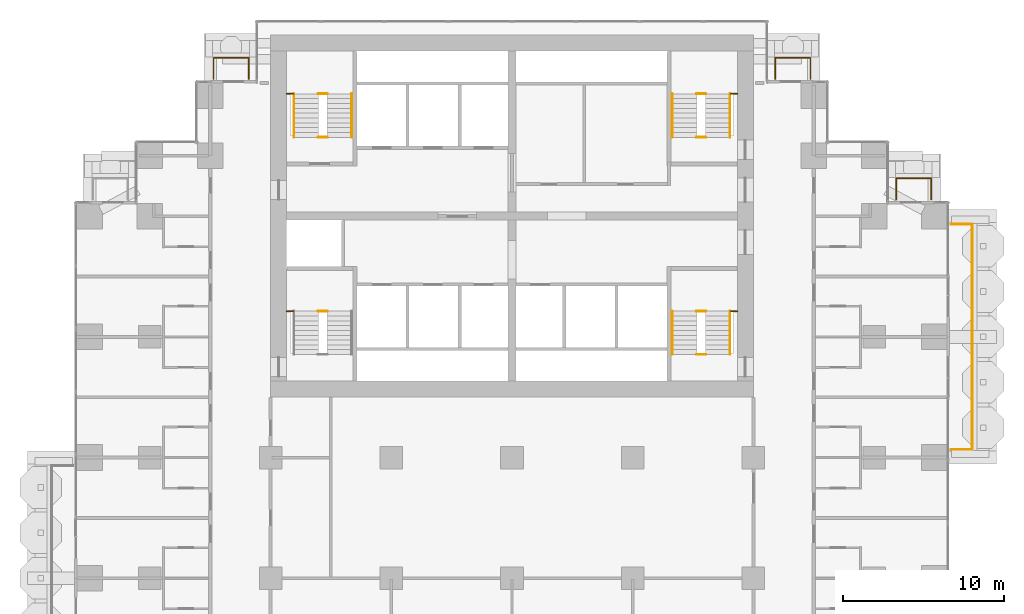
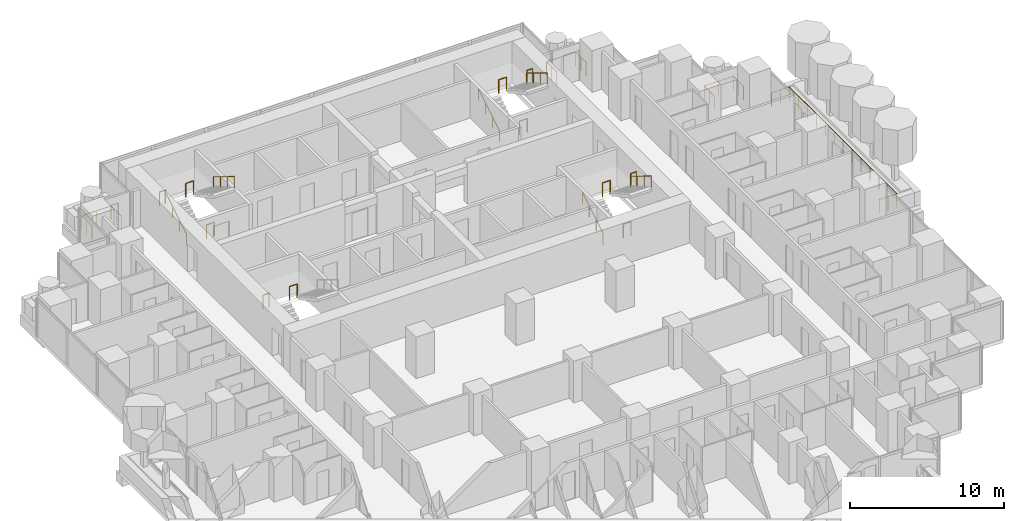
# One storey, part 18 of 19: 21 railings.
"""IFC4 building model written with IfcOpenShell, lengths in metres."""

from ifc_helpers import new_model, si_unit, direction, frame, origin, origin_2d, place, context, subcontext, project, spatial, circle, extrude, material, type_object, element, save


model = new_model("IFC4")

# Units and contexts
model_context = context("Model", 3, precision=1e-05, world=origin(), true_north=direction((0.0, 1.0)))
body_context = subcontext(model_context, "Body", "Model", "MODEL_VIEW")
ifc_project = project(units=[si_unit("LENGTHUNIT", "METRE"), si_unit("AREAUNIT", "SQUARE_METRE"), si_unit("VOLUMEUNIT", "CUBIC_METRE"), si_unit("PLANEANGLEUNIT", "RADIAN"), si_unit("MASSUNIT", "GRAM", prefix="KILO")], contexts=[model_context])

# Site, building, storey
site_placement = place(None, origin())
site = spatial("IfcSite", under=ifc_project, at=site_placement, CompositionType="ELEMENT")
building_placement = place(site_placement, origin())
building = spatial("IfcBuilding", under=site, at=building_placement, Name="Pilkhan Gate Tower", CompositionType="ELEMENT")
storey_placement = place(building_placement, frame((0.0, 0.0, 46.10009765625)))
storey = spatial("IfcBuildingStorey", under=building, at=storey_placement, Name="L08", CompositionType="ELEMENT", Elevation=46.10009765625)

# Railings
ifc_material_1 = material(Name="Pale anodised aluminium posts, laminated glass infill", Category="aluminium")
railing_type_1 = type_object("IfcRailingType", Name="Balcony guard G1", PredefinedType="BALUSTRADE", material=ifc_material_1)
railing_1_placement = place(storey_placement, frame((102.27001953125, 68.0, 0.0)))
element("IfcRailing", 1, at=railing_1_placement, inside=storey, type_object=railing_type_1, Name="Balcony guard L08 E", PredefinedType="BALUSTRADE", context=body_context, shape_type="SweptSolid", body=[
    extrude(circle(Radius=0.02392578125, at=origin_2d()), frame((0.0, 0.0, 1.076171875), z_axis=(1.0, 0.0, 0.0), x_axis=(0.0, 1.0, 0.0)), (0.0, 0.0, 1.0), 1.330078125),
    extrude(circle(Radius=0.02392578125, at=origin_2d()), frame((1.330078125, 0.0, 1.076171875), z_axis=(0.0, 1.0, 0.0), x_axis=(-1.0, 0.0, 0.0)), (0.0, 0.0, 1.0), 14.0),
    extrude(circle(Radius=0.02392578125, at=origin_2d()), frame((1.330078125, 14.0, 1.076171875), z_axis=(-1.0, 0.0, 0.0), x_axis=(0.0, -1.0, 0.0)), (0.0, 0.0, 1.0), 1.330078125),
    extrude(circle(Radius=0.02099609375, at=origin_2d()), origin(), (0.0, 0.0, 1.0), 1.052001953125),
    extrude(circle(Radius=0.02099609375, at=origin_2d()), frame((0.6650390625, 0.0, 0.0)), (0.0, 0.0, 1.0), 1.052001953125),
    extrude(circle(Radius=0.02099609375, at=origin_2d()), frame((1.330078125, 0.0, 0.0)), (0.0, 0.0, 1.0), 1.052001953125),
    extrude(circle(Radius=0.02099609375, at=origin_2d()), frame((1.330078125, 1.166748046875, 0.0)), (0.0, 0.0, 1.0), 1.052001953125),
    extrude(circle(Radius=0.02099609375, at=origin_2d()), frame((1.330078125, 2.333251953125, 0.0)), (0.0, 0.0, 1.0), 1.052001953125),
    extrude(circle(Radius=0.02099609375, at=origin_2d()), frame((1.330078125, 3.5, 0.0)), (0.0, 0.0, 1.0), 1.052001953125),
    extrude(circle(Radius=0.02099609375, at=origin_2d()), frame((1.330078125, 4.666748046875, 0.0)), (0.0, 0.0, 1.0), 1.052001953125),
    extrude(circle(Radius=0.02099609375, at=origin_2d()), frame((1.330078125, 5.833251953125, 0.0)), (0.0, 0.0, 1.0), 1.052001953125),
    extrude(circle(Radius=0.02099609375, at=origin_2d()), frame((1.330078125, 7.0, 0.0)), (0.0, 0.0, 1.0), 1.052001953125),
    extrude(circle(Radius=0.02099609375, at=origin_2d()), frame((1.330078125, 8.166748046875, 0.0)), (0.0, 0.0, 1.0), 1.052001953125),
    extrude(circle(Radius=0.02099609375, at=origin_2d()), frame((1.330078125, 9.333251953125, 0.0)), (0.0, 0.0, 1.0), 1.052001953125),
    extrude(circle(Radius=0.02099609375, at=origin_2d()), frame((1.330078125, 10.5, 0.0)), (0.0, 0.0, 1.0), 1.052001953125),
    extrude(circle(Radius=0.02099609375, at=origin_2d()), frame((1.330078125, 11.666748046875, 0.0)), (0.0, 0.0, 1.0), 1.052001953125),
    extrude(circle(Radius=0.02099609375, at=origin_2d()), frame((1.330078125, 12.833251953125, 0.0)), (0.0, 0.0, 1.0), 1.052001953125),
    extrude(circle(Radius=0.02099609375, at=origin_2d()), frame((1.330078125, 14.0, 0.0)), (0.0, 0.0, 1.0), 1.052001953125),
    extrude(circle(Radius=0.02099609375, at=origin_2d()), frame((0.6650390625, 14.0, 0.0)), (0.0, 0.0, 1.0), 1.052001953125),
    extrude(circle(Radius=0.02099609375, at=origin_2d()), frame((0.0, 14.0, 0.0)), (0.0, 0.0, 1.0), 1.052001953125),
])
for number, where, name in (
    (2, (56.449951171875, 91.02001953125, 0.0), "Balcony guard L08 N"),
    (3, (91.35009765625, 91.02001953125, 0.0), "Balcony guard L08 N"),
):
    element("IfcRailing", number, at=place(storey_placement, frame(where)), inside=storey, type_object=railing_type_1, Name=name, PredefinedType="BALUSTRADE", context=body_context, shape_type="SweptSolid", body=[
        extrude(circle(Radius=0.02392578125, at=origin_2d()), frame((0.0, 0.0, 1.076171875), z_axis=(0.0, 1.0, 0.0), x_axis=(-1.0, 0.0, 0.0)), (0.0, 0.0, 1.0), 1.330078125),
        extrude(circle(Radius=0.02392578125, at=origin_2d()), frame((0.0, 1.330078125, 1.076171875), z_axis=(1.0, 0.0, 0.0), x_axis=(0.0, 1.0, 0.0)), (0.0, 0.0, 1.0), 2.199951171875),
        extrude(circle(Radius=0.02392578125, at=origin_2d()), frame((2.199951171875, 1.330078125, 1.076171875), z_axis=(0.0, -1.0, 0.0), x_axis=(1.0, 0.0, 0.0)), (0.0, 0.0, 1.0), 1.330078125),
        extrude(circle(Radius=0.02099609375, at=origin_2d()), origin(), (0.0, 0.0, 1.0), 1.052001953125),
        extrude(circle(Radius=0.02099609375, at=origin_2d()), frame((0.0, 0.6650390625, 0.0)), (0.0, 0.0, 1.0), 1.052001953125),
        extrude(circle(Radius=0.02099609375, at=origin_2d()), frame((0.0, 1.330078125, 0.0)), (0.0, 0.0, 1.0), 1.052001953125),
        extrude(circle(Radius=0.02099609375, at=origin_2d()), frame((1.10009765625, 1.330078125, 0.0)), (0.0, 0.0, 1.0), 1.052001953125),
        extrude(circle(Radius=0.02099609375, at=origin_2d()), frame((2.199951171875, 1.330078125, 0.0)), (0.0, 0.0, 1.0), 1.052001953125),
        extrude(circle(Radius=0.02099609375, at=origin_2d()), frame((2.199951171875, 0.6650390625, 0.0)), (0.0, 0.0, 1.0), 1.052001953125),
        extrude(circle(Radius=0.02099609375, at=origin_2d()), frame((2.199951171875, 0.0, 0.0)), (0.0, 0.0, 1.0), 1.052001953125),
    ])
railing_2_placement = place(storey_placement, frame((98.8701171875, 83.5400390625, 0.0)))
element("IfcRailing", 4, at=railing_2_placement, inside=storey, type_object=railing_type_1, Name="Balcony guard L08 N", PredefinedType="BALUSTRADE", context=body_context, shape_type="SweptSolid", body=[
    extrude(circle(Radius=0.02392578125, at=origin_2d()), frame((0.0, 0.0, 1.076171875), z_axis=(0.0, 1.0, 0.0), x_axis=(-1.0, 0.0, 0.0)), (0.0, 0.0, 1.0), 1.31005859375),
    extrude(circle(Radius=0.02392578125, at=origin_2d()), frame((0.0, 1.31005859375, 1.076171875), z_axis=(1.0, 0.0, 0.0), x_axis=(0.0, 1.0, 0.0)), (0.0, 0.0, 1.0), 2.179931640625),
    extrude(circle(Radius=0.02392578125, at=origin_2d()), frame((2.179931640625, 1.31005859375, 1.076171875), z_axis=(0.0, -1.0, 0.0), x_axis=(1.0, 0.0, 0.0)), (0.0, 0.0, 1.0), 1.31005859375),
    extrude(circle(Radius=0.02099609375, at=origin_2d()), origin(), (0.0, 0.0, 1.0), 1.052001953125),
    extrude(circle(Radius=0.02099609375, at=origin_2d()), frame((0.0, 0.655029296875, 0.0)), (0.0, 0.0, 1.0), 1.052001953125),
    extrude(circle(Radius=0.02099609375, at=origin_2d()), frame((0.0, 1.31005859375, 0.0)), (0.0, 0.0, 1.0), 1.052001953125),
    extrude(circle(Radius=0.02099609375, at=origin_2d()), frame((1.08984375, 1.31005859375, 0.0)), (0.0, 0.0, 1.0), 1.052001953125),
    extrude(circle(Radius=0.02099609375, at=origin_2d()), frame((2.179931640625, 1.31005859375, 0.0)), (0.0, 0.0, 1.0), 1.052001953125),
    extrude(circle(Radius=0.02099609375, at=origin_2d()), frame((2.179931640625, 0.655029296875, 0.0)), (0.0, 0.0, 1.0), 1.052001953125),
    extrude(circle(Radius=0.02099609375, at=origin_2d()), frame((2.179931640625, 0.0, 0.0)), (0.0, 0.0, 1.0), 1.052001953125),
])
ifc_material_2 = material(Name="Black powder-coated steel tube", Category="steel")
railing_type_2 = type_object("IfcRailingType", Name="Stair handrail HR1", PredefinedType="HANDRAIL", material=ifc_material_2)
railing_3_placement = place(storey_placement, frame((84.949951171875, 73.89990234375, 0.0)))
element("IfcRailing", 5, at=railing_3_placement, inside=storey, type_object=railing_type_2, Name="Stair ST1 handrail L08", PredefinedType="HANDRAIL", context=body_context, shape_type="SweptSolid", body=[
    extrude(circle(Radius=0.02392578125, at=origin_2d()), frame((0.0, 0.0, 0.8759765625), z_axis=(0.0, 0.853312346642, 0.521400075823), x_axis=(-1.0, 0.0, 0.0)), (0.0, 0.0, 1.0), 3.164306640625),
    extrude(circle(Radius=0.02099609375, at=origin_2d()), origin(), (0.0, 0.0, 1.0), 0.851806640625),
    extrude(circle(Radius=0.02099609375, at=origin_2d()), frame((0.0, 0.900146484375, 0.550048828125)), (0.0, 0.0, 1.0), 0.851806640625),
    extrude(circle(Radius=0.02099609375, at=origin_2d()), frame((0.0, 1.800048828125, 1.099853515625)), (0.0, 0.0, 1.0), 0.851806640625),
    extrude(circle(Radius=0.02099609375, at=origin_2d()), frame((0.0, 2.7001953125, 1.64990234375)), (0.0, 0.0, 1.0), 0.851806640625),
])
railing_4_placement = place(storey_placement, frame((88.550048828125, 76.60009765625, 1.64990234375)))
element("IfcRailing", 6, at=railing_4_placement, inside=storey, type_object=railing_type_2, Name="Stair ST1 handrail L08", PredefinedType="HANDRAIL", context=body_context, shape_type="SweptSolid", body=[
    extrude(circle(Radius=0.02392578125, at=origin_2d()), frame((0.0, 0.0, 0.8759765625), z_axis=(0.0, -0.853312346642, 0.521400075823), x_axis=(1.0, 0.0, 0.0)), (0.0, 0.0, 1.0), 3.164306640625),
    extrude(circle(Radius=0.02099609375, at=origin_2d()), origin(), (0.0, 0.0, 1.0), 0.851806640625),
    extrude(circle(Radius=0.02099609375, at=origin_2d()), frame((0.0, -0.900146484375, 0.550048828125)), (0.0, 0.0, 1.0), 0.851806640625),
    extrude(circle(Radius=0.02099609375, at=origin_2d()), frame((0.0, -1.800048828125, 1.099853515625)), (0.0, 0.0, 1.0), 0.851806640625),
    extrude(circle(Radius=0.02099609375, at=origin_2d()), frame((0.0, -2.7001953125, 1.64990234375)), (0.0, 0.0, 1.0), 0.851806640625),
])
railing_5_placement = place(storey_placement, frame((61.449951171875, 87.39990234375, 0.0)))
element("IfcRailing", 7, at=railing_5_placement, inside=storey, type_object=railing_type_2, Name="Stair ST3 handrail L08", PredefinedType="HANDRAIL", context=body_context, shape_type="SweptSolid", body=[
    extrude(circle(Radius=0.02392578125, at=origin_2d()), frame((0.0, 0.0, 0.8759765625), z_axis=(0.0, 0.853312346642, 0.521400075823), x_axis=(-1.0, 0.0, 0.0)), (0.0, 0.0, 1.0), 3.164306640625),
    extrude(circle(Radius=0.02099609375, at=origin_2d()), origin(), (0.0, 0.0, 1.0), 0.851806640625),
    extrude(circle(Radius=0.02099609375, at=origin_2d()), frame((0.0, 0.900146484375, 0.550048828125)), (0.0, 0.0, 1.0), 0.851806640625),
    extrude(circle(Radius=0.02099609375, at=origin_2d()), frame((0.0, 1.800048828125, 1.099853515625)), (0.0, 0.0, 1.0), 0.851806640625),
    extrude(circle(Radius=0.02099609375, at=origin_2d()), frame((0.0, 2.7001953125, 1.64990234375)), (0.0, 0.0, 1.0), 0.851806640625),
])
railing_6_placement = place(storey_placement, frame((65.050048828125, 90.10009765625, 1.64990234375)))
element("IfcRailing", 8, at=railing_6_placement, inside=storey, type_object=railing_type_2, Name="Stair ST3 handrail L08", PredefinedType="HANDRAIL", context=body_context, shape_type="SweptSolid", body=[
    extrude(circle(Radius=0.02392578125, at=origin_2d()), frame((0.0, 0.0, 0.8759765625), z_axis=(0.0, -0.853312346642, 0.521400075823), x_axis=(1.0, 0.0, 0.0)), (0.0, 0.0, 1.0), 3.164306640625),
    extrude(circle(Radius=0.02099609375, at=origin_2d()), origin(), (0.0, 0.0, 1.0), 0.851806640625),
    extrude(circle(Radius=0.02099609375, at=origin_2d()), frame((0.0, -0.900146484375, 0.550048828125)), (0.0, 0.0, 1.0), 0.851806640625),
    extrude(circle(Radius=0.02099609375, at=origin_2d()), frame((0.0, -1.800048828125, 1.099853515625)), (0.0, 0.0, 1.0), 0.851806640625),
    extrude(circle(Radius=0.02099609375, at=origin_2d()), frame((0.0, -2.7001953125, 1.64990234375)), (0.0, 0.0, 1.0), 0.851806640625),
])
railing_7_placement = place(storey_placement, frame((84.949951171875, 87.39990234375, 0.0)))
element("IfcRailing", 9, at=railing_7_placement, inside=storey, type_object=railing_type_2, Name="Stair ST4 handrail L08", PredefinedType="HANDRAIL", context=body_context, shape_type="SweptSolid", body=[
    extrude(circle(Radius=0.02392578125, at=origin_2d()), frame((0.0, 0.0, 0.8759765625), z_axis=(0.0, 0.853312346642, 0.521400075823), x_axis=(-1.0, 0.0, 0.0)), (0.0, 0.0, 1.0), 3.164306640625),
    extrude(circle(Radius=0.02099609375, at=origin_2d()), origin(), (0.0, 0.0, 1.0), 0.851806640625),
    extrude(circle(Radius=0.02099609375, at=origin_2d()), frame((0.0, 0.900146484375, 0.550048828125)), (0.0, 0.0, 1.0), 0.851806640625),
    extrude(circle(Radius=0.02099609375, at=origin_2d()), frame((0.0, 1.800048828125, 1.099853515625)), (0.0, 0.0, 1.0), 0.851806640625),
    extrude(circle(Radius=0.02099609375, at=origin_2d()), frame((0.0, 2.7001953125, 1.64990234375)), (0.0, 0.0, 1.0), 0.851806640625),
])
railing_8_placement = place(storey_placement, frame((88.550048828125, 90.10009765625, 1.64990234375)))
element("IfcRailing", 10, at=railing_8_placement, inside=storey, type_object=railing_type_2, Name="Stair ST4 handrail L08", PredefinedType="HANDRAIL", context=body_context, shape_type="SweptSolid", body=[
    extrude(circle(Radius=0.02392578125, at=origin_2d()), frame((0.0, 0.0, 0.8759765625), z_axis=(0.0, -0.853312346642, 0.521400075823), x_axis=(1.0, 0.0, 0.0)), (0.0, 0.0, 1.0), 3.164306640625),
    extrude(circle(Radius=0.02099609375, at=origin_2d()), origin(), (0.0, 0.0, 1.0), 0.851806640625),
    extrude(circle(Radius=0.02099609375, at=origin_2d()), frame((0.0, -0.900146484375, 0.550048828125)), (0.0, 0.0, 1.0), 0.851806640625),
    extrude(circle(Radius=0.02099609375, at=origin_2d()), frame((0.0, -1.800048828125, 1.099853515625)), (0.0, 0.0, 1.0), 0.851806640625),
    extrude(circle(Radius=0.02099609375, at=origin_2d()), frame((0.0, -2.7001953125, 1.64990234375)), (0.0, 0.0, 1.0), 0.851806640625),
])
ifc_material_3 = material(Name="Black powder-coated steel balusters", Category="steel")
railing_type_3 = type_object("IfcRailingType", Name="Stair well guard G3", PredefinedType="GUARDRAIL", material=ifc_material_3)
railing_9_placement = place(storey_placement, frame((88.580078125, 76.60009765625, 1.64990234375)))
element("IfcRailing", 11, at=railing_9_placement, inside=storey, type_object=railing_type_3, Name="Stair ST1 well guard L08", PredefinedType="GUARDRAIL", context=body_context, shape_type="SweptSolid", body=[
    extrude(circle(Radius=0.02392578125, at=origin_2d()), frame((0.0, 0.0, 1.076171875), z_axis=(1.0, 0.0, 0.0), x_axis=(0.0, 1.0, 0.0)), (0.0, 0.0, 1.0), 0.43994140625),
    extrude(circle(Radius=0.02099609375, at=origin_2d()), origin(), (0.0, 0.0, 1.0), 1.052001953125),
    extrude(circle(Radius=0.02099609375, at=origin_2d()), frame((0.43994140625, 0.0, 0.0)), (0.0, 0.0, 1.0), 1.052001953125),
])
for number, where, name in (
    (12, (86.4599609375, 73.89990234375, 0.0), "Stair ST1 well guard L08"),
    (13, (86.4599609375, 76.60009765625, 1.64990234375), "Stair ST1 well guard L08"),
):
    element("IfcRailing", number, at=place(storey_placement, frame(where)), inside=storey, type_object=railing_type_3, Name=name, PredefinedType="GUARDRAIL", context=body_context, shape_type="SweptSolid", body=[
        extrude(circle(Radius=0.02392578125, at=origin_2d()), frame((0.0, 0.0, 1.076171875), z_axis=(1.0, 0.0, 0.0), x_axis=(0.0, 1.0, 0.0)), (0.0, 0.0, 1.0), 0.580078125),
        extrude(circle(Radius=0.02099609375, at=origin_2d()), origin(), (0.0, 0.0, 1.0), 1.052001953125),
        extrude(circle(Radius=0.02099609375, at=origin_2d()), frame((0.580078125, 0.0, 0.0)), (0.0, 0.0, 1.0), 1.052001953125),
    ])
railing_10_placement = place(storey_placement, frame((60.97998046875, 76.60009765625, 1.64990234375)))
element("IfcRailing", 14, at=railing_10_placement, inside=storey, type_object=railing_type_3, Name="Stair ST2 well guard L08", PredefinedType="GUARDRAIL", context=body_context, shape_type="SweptSolid", body=[
    extrude(circle(Radius=0.02392578125, at=origin_2d()), frame((0.0, 0.0, 1.076171875), z_axis=(1.0, 0.0, 0.0), x_axis=(0.0, 1.0, 0.0)), (0.0, 0.0, 1.0), 0.43994140625),
    extrude(circle(Radius=0.02099609375, at=origin_2d()), origin(), (0.0, 0.0, 1.0), 1.052001953125),
    extrude(circle(Radius=0.02099609375, at=origin_2d()), frame((0.43994140625, 0.0, 0.0)), (0.0, 0.0, 1.0), 1.052001953125),
])
railing_11_placement = place(storey_placement, frame((62.9599609375, 76.60009765625, 1.64990234375)))
element("IfcRailing", 15, at=railing_11_placement, inside=storey, type_object=railing_type_3, Name="Stair ST2 well guard L08", PredefinedType="GUARDRAIL", context=body_context, shape_type="SweptSolid", body=[
    extrude(circle(Radius=0.02392578125, at=origin_2d()), frame((0.0, 0.0, 1.076171875), z_axis=(1.0, 0.0, 0.0), x_axis=(0.0, 1.0, 0.0)), (0.0, 0.0, 1.0), 0.580078125),
    extrude(circle(Radius=0.02099609375, at=origin_2d()), origin(), (0.0, 0.0, 1.0), 1.052001953125),
    extrude(circle(Radius=0.02099609375, at=origin_2d()), frame((0.580078125, 0.0, 0.0)), (0.0, 0.0, 1.0), 1.052001953125),
])
railing_12_placement = place(storey_placement, frame((60.97998046875, 90.10009765625, 1.64990234375)))
element("IfcRailing", 16, at=railing_12_placement, inside=storey, type_object=railing_type_3, Name="Stair ST3 well guard L08", PredefinedType="GUARDRAIL", context=body_context, shape_type="SweptSolid", body=[
    extrude(circle(Radius=0.02392578125, at=origin_2d()), frame((0.0, 0.0, 1.076171875), z_axis=(1.0, 0.0, 0.0), x_axis=(0.0, 1.0, 0.0)), (0.0, 0.0, 1.0), 0.43994140625),
    extrude(circle(Radius=0.02099609375, at=origin_2d()), origin(), (0.0, 0.0, 1.0), 1.052001953125),
    extrude(circle(Radius=0.02099609375, at=origin_2d()), frame((0.43994140625, 0.0, 0.0)), (0.0, 0.0, 1.0), 1.052001953125),
])
for number, where, name in (
    (17, (62.9599609375, 87.39990234375, 0.0), "Stair ST3 well guard L08"),
    (18, (62.9599609375, 90.10009765625, 1.64990234375), "Stair ST3 well guard L08"),
):
    element("IfcRailing", number, at=place(storey_placement, frame(where)), inside=storey, type_object=railing_type_3, Name=name, PredefinedType="GUARDRAIL", context=body_context, shape_type="SweptSolid", body=[
        extrude(circle(Radius=0.02392578125, at=origin_2d()), frame((0.0, 0.0, 1.076171875), z_axis=(1.0, 0.0, 0.0), x_axis=(0.0, 1.0, 0.0)), (0.0, 0.0, 1.0), 0.580078125),
        extrude(circle(Radius=0.02099609375, at=origin_2d()), origin(), (0.0, 0.0, 1.0), 1.052001953125),
        extrude(circle(Radius=0.02099609375, at=origin_2d()), frame((0.580078125, 0.0, 0.0)), (0.0, 0.0, 1.0), 1.052001953125),
    ])
railing_13_placement = place(storey_placement, frame((88.580078125, 90.10009765625, 1.64990234375)))
element("IfcRailing", 19, at=railing_13_placement, inside=storey, type_object=railing_type_3, Name="Stair ST4 well guard L08", PredefinedType="GUARDRAIL", context=body_context, shape_type="SweptSolid", body=[
    extrude(circle(Radius=0.02392578125, at=origin_2d()), frame((0.0, 0.0, 1.076171875), z_axis=(1.0, 0.0, 0.0), x_axis=(0.0, 1.0, 0.0)), (0.0, 0.0, 1.0), 0.43994140625),
    extrude(circle(Radius=0.02099609375, at=origin_2d()), origin(), (0.0, 0.0, 1.0), 1.052001953125),
    extrude(circle(Radius=0.02099609375, at=origin_2d()), frame((0.43994140625, 0.0, 0.0)), (0.0, 0.0, 1.0), 1.052001953125),
])
for number, where, name in (
    (20, (86.4599609375, 87.39990234375, 0.0), "Stair ST4 well guard L08"),
    (21, (86.4599609375, 90.10009765625, 1.64990234375), "Stair ST4 well guard L08"),
):
    element("IfcRailing", number, at=place(storey_placement, frame(where)), inside=storey, type_object=railing_type_3, Name=name, PredefinedType="GUARDRAIL", context=body_context, shape_type="SweptSolid", body=[
        extrude(circle(Radius=0.02392578125, at=origin_2d()), frame((0.0, 0.0, 1.076171875), z_axis=(1.0, 0.0, 0.0), x_axis=(0.0, 1.0, 0.0)), (0.0, 0.0, 1.0), 0.580078125),
        extrude(circle(Radius=0.02099609375, at=origin_2d()), origin(), (0.0, 0.0, 1.0), 1.052001953125),
        extrude(circle(Radius=0.02099609375, at=origin_2d()), frame((0.580078125, 0.0, 0.0)), (0.0, 0.0, 1.0), 1.052001953125),
    ])

save(model, "model.ifc")
